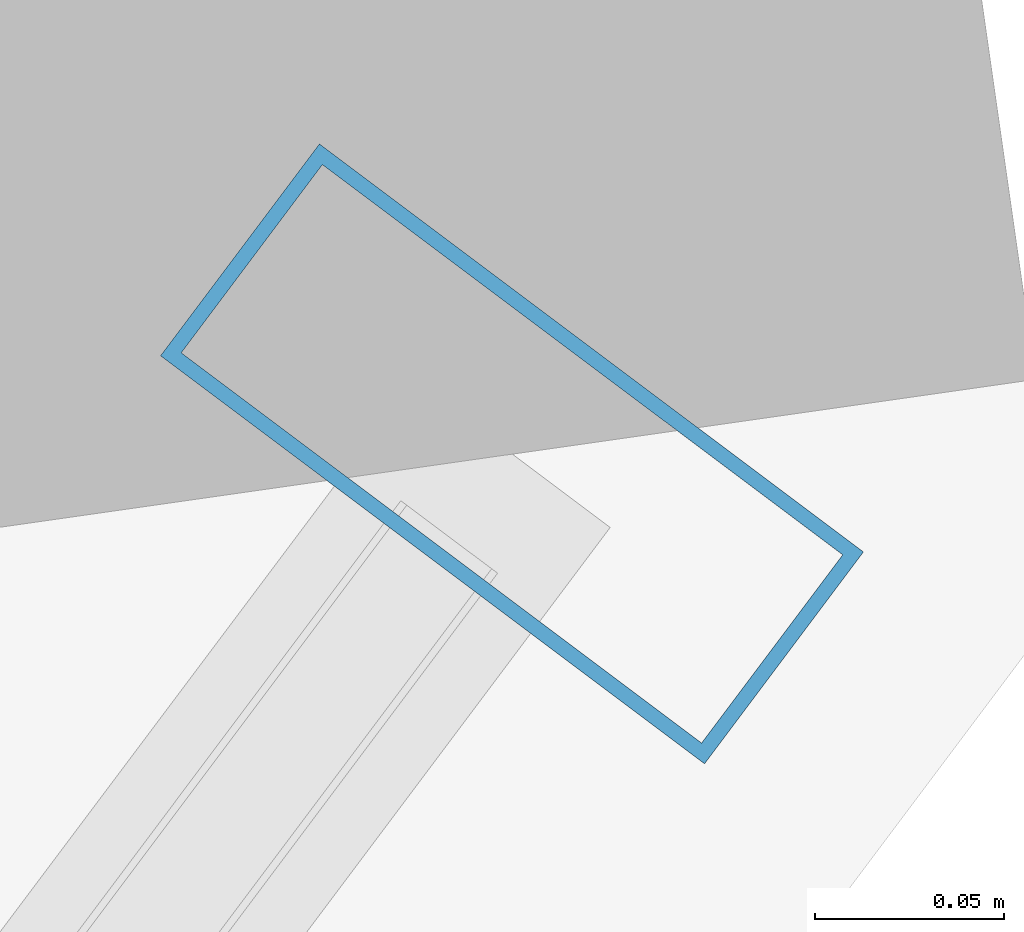
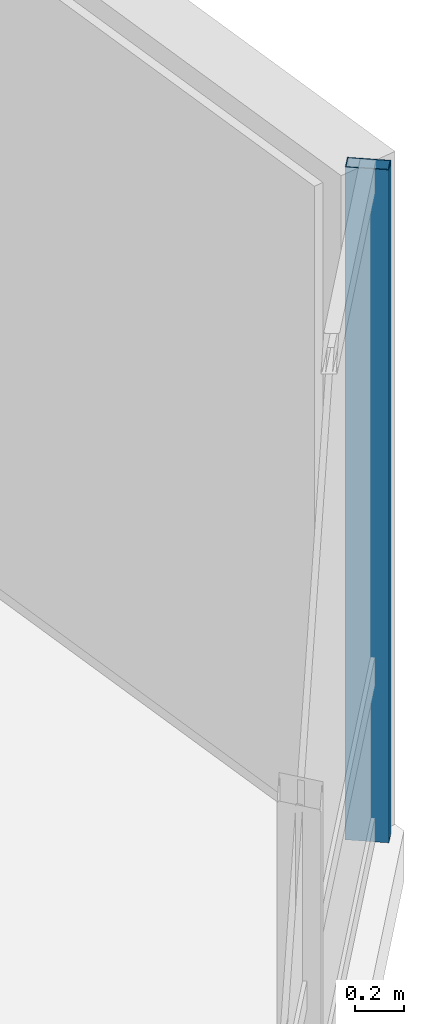
# One storey, part 16 of 28: 1 member, 1 element without a shape of its own.
"""IFC4 building model written with IfcOpenShell, lengths in metres."""

import ifcopenshell
import ifcopenshell.guid

model = None  # the IFC model being written
_history = None  # IfcOwnerHistory: only IFC2X3 demands one
_inside = {}  # id of a spatial element -> (the spatial element, [elements in it])
_under = {}  # id of a project, library or spatial element -> (it, [spatial elements below it])
_declared = {}  # id of a project -> (the project, [libraries it declares])
_typed = {}  # id of a type object -> (the type object, [elements of that type])
_made_of = {}  # id of a material, layer set ... -> (it, [elements and type objects made of it])


def new_model(schema):
    """Start an empty IFC model of exactly this schema.

    Asked for "IFC4X3", IfcOpenShell would pick the latest addendum, in which some entities
    have other attributes; the version numbers below select the first issue.
    IFC2X3 requires an IfcOwnerHistory on every rooted entity: one is made here for all.
    """
    global model, _history
    if schema == "IFC4X3":
        model = ifcopenshell.file(schema_version=(4, 3, 0, 0))
    else:
        model = ifcopenshell.file(schema=schema)
    _inside.clear()
    _under.clear()
    _declared.clear()
    _typed.clear()
    _made_of.clear()
    _history = None
    if model.schema == "IFC2X3":
        org = make("IfcOrganization", Name="unknown")
        user = make(
            "IfcPersonAndOrganization",
            ThePerson=make("IfcPerson", FamilyName="unknown"),
            TheOrganization=org,
        )
        app = make(
            "IfcApplication",
            ApplicationDeveloper=org,
            Version="unknown",
            ApplicationFullName="unknown",
            ApplicationIdentifier="unknown",
        )
        _history = make(
            "IfcOwnerHistory",
            OwningUser=user,
            OwningApplication=app,
            ChangeAction="ADDED",
            CreationDate=0,
        )
    return model


def make(cls, **values):
    """One entity of the class cls with the attributes given. An attribute that is None is left unset."""
    return model.create_entity(
        cls, **{name: value for name, value in values.items() if value is not None}
    )


def rooted(cls, **values):
    """An entity with a GlobalId (a new one), such as an element, a storey or a relation."""
    return make(cls, GlobalId=ifcopenshell.guid.new(), OwnerHistory=_history, **values)


def si_unit(unit_type, name, prefix=None):
    """IfcSIUnit, for example si_unit("LENGTHUNIT", "METRE", prefix="MILLI")."""
    return make("IfcSIUnit", UnitType=unit_type, Prefix=prefix, Name=name)


def assignment(units):
    """IfcUnitAssignment: the units of a project."""
    return None if units is None else make("IfcUnitAssignment", Units=units)


def point(xyz):
    """IfcCartesianPoint."""
    return None if xyz is None else make("IfcCartesianPoint", Coordinates=xyz)


def direction(xyz):
    """IfcDirection."""
    return None if xyz is None else make("IfcDirection", DirectionRatios=xyz)


def frame(location, z_axis=None, x_axis=None):
    """IfcAxis2Placement3D, a coordinate frame: its origin and axes. An axis left out is left unset."""
    return make(
        "IfcAxis2Placement3D",
        Location=point(location),
        Axis=direction(z_axis),
        RefDirection=direction(x_axis),
    )


def frame_2d(location, x_axis=None):
    """IfcAxis2Placement2D, a coordinate frame in the plane: its origin and x axis."""
    return make(
        "IfcAxis2Placement2D", Location=point(location), RefDirection=direction(x_axis)
    )


def origin():
    """The frame at (0, 0, 0) with its axes left unset."""
    return frame((0.0, 0.0, 0.0))


def origin_2d():
    """The frame at (0, 0) in the plane with its x axis left unset."""
    return frame_2d((0.0, 0.0))


def place(relative_to, where):
    """IfcLocalPlacement: puts the frame where relative to a parent placement (None: the world)."""
    return make(
        "IfcLocalPlacement", PlacementRelTo=relative_to, RelativePlacement=where
    )


def context(
    kind, dimensions, precision=None, world=None, true_north=None, identifier=None
):
    """IfcGeometricRepresentationContext, for example the 3D "Model" context."""
    return make(
        "IfcGeometricRepresentationContext",
        ContextIdentifier=identifier,
        ContextType=kind,
        CoordinateSpaceDimension=dimensions,
        Precision=precision,
        WorldCoordinateSystem=world,
        TrueNorth=true_north,
    )


def subcontext(parent, identifier, kind, view, scale=None):
    """IfcGeometricRepresentationSubContext, for example "Body" below "Model"."""
    return make(
        "IfcGeometricRepresentationSubContext",
        ContextIdentifier=identifier,
        ContextType=kind,
        ParentContext=parent,
        TargetScale=scale,
        TargetView=view,
    )


def project(units=None, contexts=None):
    """IfcProject with its units and contexts."""
    return rooted(
        "IfcProject",
        Name="project",
        RepresentationContexts=contexts,
        UnitsInContext=assignment(units),
    )


def spatial(cls, under=None, at=None, **own):
    """A site, building, storey or space (cls), placed at a placement, below another one or the project."""
    s = rooted(cls, ObjectPlacement=at, **own)
    if under is not None:
        _under.setdefault(under.id(), (under, []))[1].append(s)
    return s


def profile(cls, at=None, kind="AREA", **sizes):
    """A parametric profile (cls). Its sizes go by their IFC names, for example OverallWidth=200.0."""
    return make(cls, ProfileType=kind, Position=at, **sizes)


def hollow_rectangle(**sizes):
    """IfcRectangleHollowProfileDef."""
    return profile("IfcRectangleHollowProfileDef", **sizes)


def extrude(swept, where, along, depth):
    """IfcExtrudedAreaSolid: the profile swept, set in the frame where, extruded along a direction by depth."""
    return make(
        "IfcExtrudedAreaSolid",
        SweptArea=swept,
        Position=where,
        ExtrudedDirection=direction(along),
        Depth=depth,
    )


def shape(context_of_items, identifier, shape_type, items):
    """IfcShapeRepresentation: the items that make up one representation, for example the "Body"."""
    return make(
        "IfcShapeRepresentation",
        ContextOfItems=context_of_items,
        RepresentationIdentifier=identifier,
        RepresentationType=shape_type,
        Items=items,
    )


def material(Name=None, Category=None):
    """IfcMaterial."""
    return make("IfcMaterial", Name=Name, Category=Category)


def layer(
    of_material, thickness, ventilated=None, Name=None, Category=None, Priority=None
):
    """IfcMaterialLayer: one layer of a wall or slab, of a material (None: an air gap)."""
    return make(
        "IfcMaterialLayer",
        Material=of_material,
        LayerThickness=thickness,
        IsVentilated=ventilated,
        Name=Name,
        Category=Category,
        Priority=Priority,
    )


def layer_set(layers, Name=None):
    """IfcMaterialLayerSet."""
    return make("IfcMaterialLayerSet", MaterialLayers=layers, LayerSetName=Name)


def material_profile(
    of_material, cross_section, Name=None, Category=None, Priority=None
):
    """IfcMaterialProfile: a cross section and its material."""
    return make(
        "IfcMaterialProfile",
        Name=Name,
        Material=of_material,
        Profile=cross_section,
        Priority=Priority,
        Category=Category,
    )


def profile_set(profiles, Name=None, composite=None):
    """IfcMaterialProfileSet."""
    return make(
        "IfcMaterialProfileSet",
        Name=Name,
        MaterialProfiles=profiles,
        CompositeProfile=composite,
    )


def made_of(thing, what):
    """Note that an element or type object is made of a material, layer set ...; save() writes the relation."""
    if what is not None:
        _made_of.setdefault(what.id(), (what, []))[1].append(thing)
    return thing


def type_object(cls, material=None, **own):
    """A type object (cls), such as IfcWallType, which elements share."""
    return made_of(rooted(cls, **own), material)


def element(
    cls,
    number,
    at=None,
    inside=None,
    cuts=None,
    type_object=None,
    material=None,
    context=None,
    identifier="Body",
    shape_type=None,
    held_by="IfcProductDefinitionShape",
    body=None,
    shapes=None,
    **own,
):
    """One element of the class cls, such as IfcWall. Its Tag is "e" and its number.

    at: its placement. inside: the storey or other place that contains it. cuts: it is an
    opening in that element (IfcRelVoidsElement). A single representation is given by context,
    identifier, shape_type and body (its items); several are given by shapes. held_by: the class
    of the entity that holds the representations. save() writes the other relations.
    """
    e = rooted(cls, Tag="e%d" % number, ObjectPlacement=at, **own)
    if body is not None:
        shapes = [shape(context, identifier, shape_type, body)]
    if shapes is not None:
        e.Representation = make(held_by, Representations=shapes)
    if inside is not None:
        _inside.setdefault(inside.id(), (inside, []))[1].append(e)
    if cuts is not None:
        rooted(
            "IfcRelVoidsElement", RelatingBuildingElement=cuts, RelatedOpeningElement=e
        )
    if type_object is not None:
        _typed.setdefault(type_object.id(), (type_object, []))[1].append(e)
    return made_of(e, material)


def aggregate(whole, parts):
    """IfcRelAggregates: a whole, such as a stair, and the parts it consists of."""
    return rooted("IfcRelAggregates", RelatingObject=whole, RelatedObjects=parts)


def save(model, path):
    """Write the relations noted so far, then the file.

    IfcRelAggregates (storeys below a building ...), IfcRelContainedInSpatialStructure (elements
    in a storey), IfcRelDefinesByType, IfcRelAssociatesMaterial and IfcRelDeclares: one each for
    every whole, place, type object, material and project.
    """
    for whole, parts in _under.values():
        aggregate(whole, parts)
    for where, things in _inside.values():
        rooted(
            "IfcRelContainedInSpatialStructure",
            RelatedElements=things,
            RelatingStructure=where,
        )
    for kind, things in _typed.values():
        rooted("IfcRelDefinesByType", RelatedObjects=things, RelatingType=kind)
    for what, things in _made_of.values():
        rooted("IfcRelAssociatesMaterial", RelatedObjects=things, RelatingMaterial=what)
    for by, libraries in _declared.values():
        rooted("IfcRelDeclares", RelatingContext=by, RelatedDefinitions=libraries)
    model.write(path)


model = new_model("IFC4")

# Units and contexts
model_context = context("Model", 3, precision=1e-05, world=origin(), true_north=direction((0.0, 1.0)))
body_context = subcontext(model_context, "Body", "Model", "MODEL_VIEW")
ifc_project = project(units=[si_unit("LENGTHUNIT", "METRE"), si_unit("AREAUNIT", "SQUARE_METRE"), si_unit("VOLUMEUNIT", "CUBIC_METRE"), si_unit("PLANEANGLEUNIT", "RADIAN"), si_unit("MASSUNIT", "GRAM", prefix="KILO")], contexts=[model_context])

# Site, building, storey
site_placement = place(None, origin())
site = spatial("IfcSite", under=ifc_project, at=site_placement, CompositionType="ELEMENT")
building_placement = place(site_placement, origin())
building = spatial("IfcBuilding", under=site, at=building_placement, Name="Hatsunagi Terrace Concourse", CompositionType="ELEMENT")
storey_placement = place(building_placement, frame((0.0, 0.0, 160.050048828125)))
storey = spatial("IfcBuildingStorey", under=building, at=storey_placement, Name="L42", CompositionType="ELEMENT", Elevation=160.050048828125)

# Curtain wall, member
ifc_material_1 = material(Name="Anodised Aluminium Alloy 6063-T5", Category="aluminium")
ifc_layer = layer(ifc_material_1, 0.199951171875)
ifc_layer_set = layer_set([ifc_layer], Name="OfficeZone1_CW03")
curtain_wall_type = type_object("IfcCurtainWallType", Name="OfficeZone1_CW03", PredefinedType="NOTDEFINED", material=ifc_layer_set)
curtain_wall_placement = place(storey_placement, origin())
curtain_wall = element("IfcCurtainWall", 1, at=curtain_wall_placement, inside=storey, type_object=curtain_wall_type, Name="Unitised Curtain Wall CW-03 CW-L42-03", PredefinedType="NOTDEFINED")
ifc_material_2 = material(Name="Anodised Aluminium Alloy 6063-T5", Category="aluminium")
ifc_material_profile = material_profile(ifc_material_2, hollow_rectangle(XDim=0.070068359375, YDim=0.179931640625, WallThickness=0.00390625, at=origin_2d()), Name="ALU-MUL-180x70x4")
ifc_profile_set = profile_set([ifc_material_profile], Name="Anodised Aluminium Alloy 6063-T5")
member_type = type_object("IfcMemberType", Name="CurtainWallMullion_180x70", PredefinedType="MULLION", material=ifc_profile_set)
member_placement = place(storey_placement, frame((60.693115234375, 25.9580078125, 0.0), z_axis=(0.0, 0.0, 1.0), x_axis=(-0.599969314634, -0.800023013105, 0.0)))
member = element("IfcMember", 2, at=member_placement, type_object=member_type, Name="Curtain Wall Mullion MUL-02", PredefinedType="MULLION", context=body_context, shape_type="SweptSolid", body=[
    extrude(hollow_rectangle(XDim=0.070068359375, YDim=0.179931640625, WallThickness=0.00390625, at=origin_2d()), origin(), (0.0, 0.0, 1.0), 3.349853515625),
])
aggregate(curtain_wall, [member])

save(model, "model.ifc")
